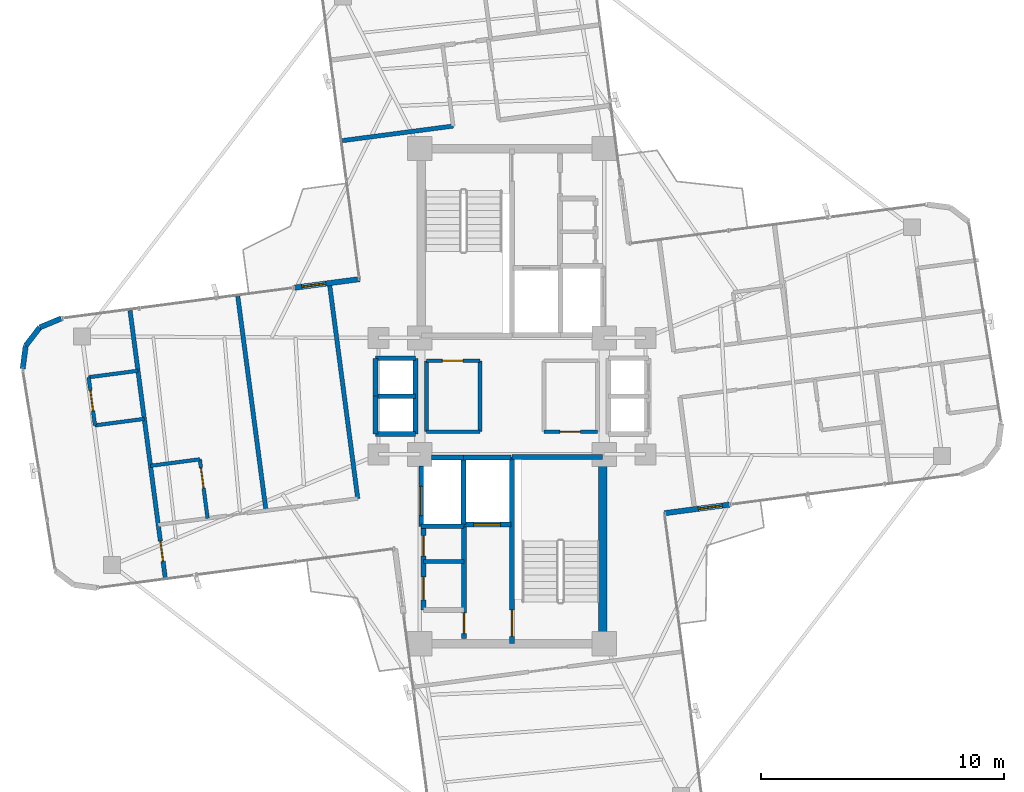
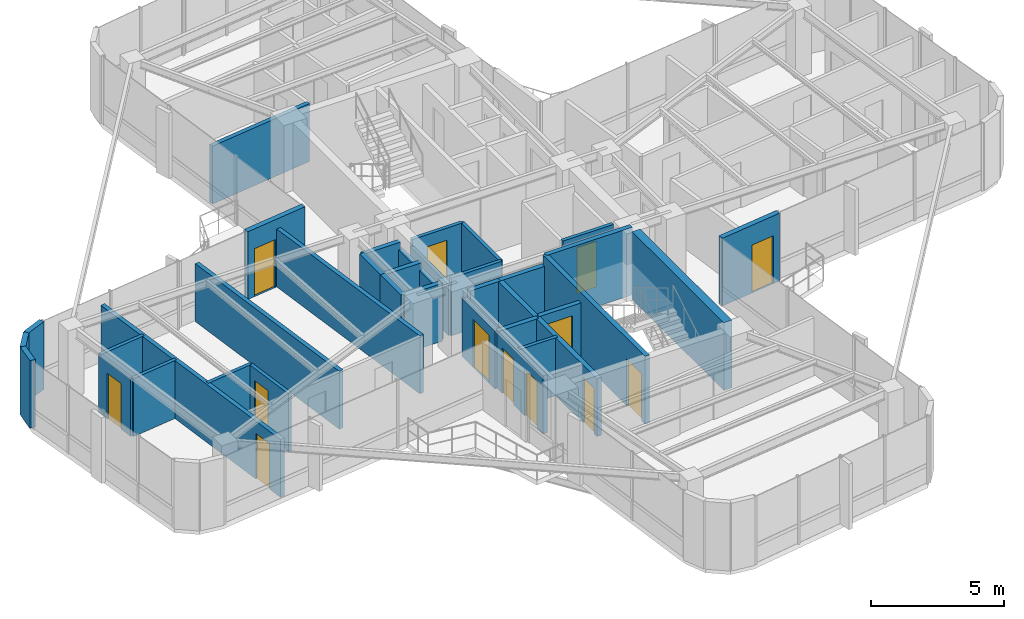
# One storey, part 19 of 22: 37 walls, 13 doors, 13 openings.
"""IFC4 building model written with IfcOpenShell, lengths in metres."""

from ifc_helpers import new_model, si_unit, direction, frame, frame_2d, origin, origin_2d, place, context, subcontext, project, spatial, rectangle, extrude, source, transform, mapped, material, layer, layer_set, type_object, element, fill, save


model = new_model("IFC4")

# Units and contexts
model_context = context("Model", 3, precision=1e-05, world=origin(), true_north=direction((0.0, 1.0)))
body_context = subcontext(model_context, "Body", "Model", "MODEL_VIEW")
ifc_project = project(units=[si_unit("LENGTHUNIT", "METRE"), si_unit("AREAUNIT", "SQUARE_METRE"), si_unit("VOLUMEUNIT", "CUBIC_METRE"), si_unit("PLANEANGLEUNIT", "RADIAN"), si_unit("MASSUNIT", "GRAM", prefix="KILO")], contexts=[model_context])

# Site, building, storey
site_placement = place(None, origin())
site = spatial("IfcSite", under=ifc_project, at=site_placement, CompositionType="ELEMENT")
building_placement = place(site_placement, origin())
building = spatial("IfcBuilding", under=site, at=building_placement, Name="Sahyath Konkavel Grand Hotel", CompositionType="ELEMENT")
storey_placement = place(building_placement, frame((0.0, 0.0, 272.449951171875)))
storey = spatial("IfcBuildingStorey", under=building, at=storey_placement, Name="L76", CompositionType="ELEMENT", Elevation=272.449951171875)

# Wall
ifc_material_1 = material(Name="Concrete C40/50", Category="concrete")
ifc_layer_1 = layer(ifc_material_1, 0.35009765625)
ifc_layer_set_1 = layer_set([ifc_layer_1], Name="Concrete C40/50")
wall_type_1 = type_object("IfcWallType", Name="CWALL-350", PredefinedType="SHEAR", material=ifc_layer_set_1)
wall_1_placement = place(storey_placement, frame((3.739990234375, -9.75, 0.0), z_axis=(0.0, 0.0, 1.0), x_axis=(0.0, 1.0, 0.0)))
element("IfcWall", 1, at=wall_1_placement, inside=storey, type_object=wall_type_1, Name="L76 South Core Shear Wall E", PredefinedType="SHEAR", context=body_context, shape_type="SweptSolid", body=[
    extrude(rectangle(XDim=6.89990234375, YDim=0.35009765625, at=frame_2d((3.449951171875, 0.0))), origin(), (0.0, 0.0, 1.0), 3.110107421875),
])

# Wall, opening, door
ifc_material_2 = material(Name="Warm Buff Sandstone Insulated Concrete C40/50", Category="masonry")
ifc_layer_2 = layer(ifc_material_2, 0.219970703125)
ifc_layer_set_2 = layer_set([ifc_layer_2], Name="Warm Buff Sandstone Insulated Concrete C40/50")
wall_type_2 = type_object("IfcWallType", Name="WLL-BALC-THRESH", PredefinedType="STANDARD", material=ifc_layer_set_2)
wall_2_placement = place(storey_placement, frame((6.282958984375, -4.821044921875, 0.0), z_axis=(0.0, 0.0, 1.0), x_axis=(0.991451525486, 0.130475563272, 0.0)))
wall_2 = element("IfcWall", 2, at=wall_2_placement, inside=storey, type_object=wall_type_2, Name="L76 Winter-Garden Threshold Wall 0", PredefinedType="STANDARD", context=body_context, shape_type="SweptSolid", body=[
    extrude(rectangle(XDim=2.7001953125, YDim=0.219970703125, at=frame_2d((1.35009765625, 0.0))), origin(), (0.0, 0.0, 1.0), 3.110107421875),
])
opening_1_placement = place(wall_2_placement, frame((1.39990234375, 0.0, 0.0)))
opening_1 = element("IfcOpeningElement", 3, at=opening_1_placement, cuts=wall_2, Name="Opening D-TR1", PredefinedType="OPENING", context=body_context, shape_type="SweptSolid", body=[
    extrude(rectangle(XDim=1.0, YDim=2.199951171875, at=frame_2d((0.5, 1.10009765625))), frame((0.0, 0.1201171875, 0.0), z_axis=(0.0, -1.0, 0.0), x_axis=(1.0, 0.0, 0.0)), (0.0, 0.0, 1.0), 0.239990234375),
])
ifc_material_3 = material(Name="Anodised Bronze Aluminium & Low-E Glazing", Category="aluminium")
door_type_1 = type_object("IfcDoorType", Name="DR-TERRACE-1000", OperationType="NOTDEFINED", PredefinedType="DOOR", material=ifc_material_3)
shared_shape_1 = source(origin(), body_context, "Body", "SweptSolid", [
    extrude(rectangle(XDim=1.0, YDim=0.050048828125, at=origin_2d()), origin(), (0.0, 0.0, 1.0), 2.199951171875),
])
door_1_placement = place(opening_1_placement, frame((0.5, 0.0, 0.0)))
door_1 = element("IfcDoor", 4, at=door_1_placement, inside=storey, type_object=door_type_1, Name="L76 Winter-Garden Terrace Door 0", OperationType="SINGLE_SWING_LEFT", OverallHeight=2.199951171875, OverallWidth=1.0, PredefinedType="DOOR", context=body_context, shape_type="MappedRepresentation", body=[
    mapped(shared_shape_1, transform((0.0, 0.0, 0.0), scale=1.0)),
])
fill(opening_1, door_1)

wall_3_placement = place(storey_placement, frame((-6.282958984375, 4.821044921875, 0.0), z_axis=(0.0, 0.0, 1.0), x_axis=(-0.991451525486, -0.130475563272, 0.0)))
wall_3 = element("IfcWall", 5, at=wall_3_placement, inside=storey, type_object=wall_type_2, Name="L76 Winter-Garden Threshold Wall 16", PredefinedType="STANDARD", context=body_context, shape_type="SweptSolid", body=[
    extrude(rectangle(XDim=2.7001953125, YDim=0.219970703125, at=frame_2d((1.35009765625, 0.0))), origin(), (0.0, 0.0, 1.0), 3.110107421875),
])
opening_2_placement = place(wall_3_placement, frame((1.39990234375, 0.0, 0.0)))
opening_2 = element("IfcOpeningElement", 6, at=opening_2_placement, cuts=wall_3, Name="Opening D-TR1", PredefinedType="OPENING", context=body_context, shape_type="SweptSolid", body=[
    extrude(rectangle(XDim=1.0, YDim=2.199951171875, at=frame_2d((0.5, 1.10009765625))), frame((0.0, 0.1201171875, 0.0), z_axis=(0.0, -1.0, 0.0), x_axis=(1.0, 0.0, 0.0)), (0.0, 0.0, 1.0), 0.239990234375),
])
door_2_placement = place(opening_2_placement, frame((0.5, 0.0, 0.0)))
door_2 = element("IfcDoor", 7, at=door_2_placement, inside=storey, type_object=door_type_1, Name="L76 Winter-Garden Terrace Door 16", OperationType="SINGLE_SWING_LEFT", OverallHeight=2.199951171875, OverallWidth=1.0, PredefinedType="DOOR", context=body_context, shape_type="MappedRepresentation", body=[
    mapped(shared_shape_1, transform((0.0, 0.0, 0.0), scale=1.0)),
])
fill(opening_2, door_2)

# Walls
wall_4_placement = place(storey_placement, frame((-18.56689453125, 3.203857421875, 0.0), z_axis=(0.0, 0.0, 1.0), x_axis=(-0.923926759112, -0.382569397359, 0.0)))
element("IfcWall", 8, at=wall_4_placement, inside=storey, type_object=wall_type_2, Name="L76 Rounded Corner Sandstone Pier 17", PredefinedType="STANDARD", context=body_context, shape_type="SweptSolid", body=[
    extrude(rectangle(XDim=0.957763671875, YDim=0.219970703125, at=frame_2d((0.47900390625, 0.0))), origin(), (0.0, 0.0, 1.0), 3.110107421875),
])
for number, where, z_axis, x_axis, name in (
    (9, (-19.451904296875, 2.83740234375, 0.0), (0.0, 0.0, 1.0), (-0.60861352168, -0.793466811674, 0.0), "L76 Rounded Corner Sandstone Pier 18"),
    (10, (-20.03466796875, 2.07763671875, 0.0), (0.0, 0.0, 1.0), (-0.13056005306, -0.991440402921, 0.0), "L76 Rounded Corner Sandstone Pier 19"),
):
    element("IfcWall", number, at=place(storey_placement, frame(where, z_axis=z_axis, x_axis=x_axis)), inside=storey, type_object=wall_type_2, Name=name, PredefinedType="STANDARD", context=body_context, shape_type="SweptSolid", body=[
        extrude(rectangle(XDim=0.95751953125, YDim=0.219970703125, at=frame_2d((0.478759765625, 0.0))), origin(), (0.0, 0.0, 1.0), 3.110107421875),
    ])

# Wall, opening, door
ifc_layer_3 = layer(ifc_material_1, 0.199951171875)
ifc_layer_set_3 = layer_set([ifc_layer_3], Name="Concrete C40/50")
wall_type_3 = type_object("IfcWallType", Name="WLL-CORE-200", PredefinedType="SOLIDWALL", material=ifc_layer_set_3)
wall_5_placement = place(storey_placement, frame((0.0, -10.179931640625, 0.0), z_axis=(0.0, 0.0, 1.0), x_axis=(0.0, 1.0, 0.0)))
wall_5 = element("IfcWall", 11, at=wall_5_placement, inside=storey, type_object=wall_type_3, Name="L76 Stair ST-2 Shaft Wall W", PredefinedType="SOLIDWALL", context=body_context, shape_type="SweptSolid", body=[
    extrude(rectangle(XDim=7.679931640625, YDim=0.199951171875, at=frame_2d((3.83984375, 0.0))), origin(), (0.0, 0.0, 1.0), 3.110107421875),
])
opening_3_placement = place(wall_5_placement, frame((0.280029296875, 0.0, 0.0)))
opening_3 = element("IfcOpeningElement", 12, at=opening_3_placement, cuts=wall_5, Name="Opening D-F12B", PredefinedType="OPENING", context=body_context, shape_type="SweptSolid", body=[
    extrude(rectangle(XDim=1.10009765625, YDim=2.14990234375, at=frame_2d((0.550048828125, 1.074951171875))), frame((0.0, 0.10986328125, 0.0), z_axis=(0.0, -1.0, 0.0), x_axis=(1.0, 0.0, 0.0)), (0.0, 0.0, 1.0), 0.219970703125),
])
ifc_material_4 = material(Name="Steel E350 Smokeproof Fire Door", Category="steel")
door_type_2 = type_object("IfcDoorType", Name="DR-FD120-1100", OperationType="NOTDEFINED", PredefinedType="DOOR", material=ifc_material_4)
shared_shape_2 = source(origin(), body_context, "Body", "SweptSolid", [
    extrude(rectangle(XDim=1.10009765625, YDim=0.050048828125, at=origin_2d()), origin(), (0.0, 0.0, 1.0), 2.14990234375),
])
door_3_placement = place(opening_3_placement, frame((0.550048828125, 0.0, 0.0)))
door_3 = element("IfcDoor", 13, at=door_3_placement, inside=storey, type_object=door_type_2, Name="L76 Stair ST-2 Fire Door", OperationType="SINGLE_SWING_LEFT", OverallHeight=2.14990234375, OverallWidth=1.10009765625, PredefinedType="DOOR", context=body_context, shape_type="MappedRepresentation", body=[
    mapped(shared_shape_2, transform((0.0, 0.0, 0.0), scale=1.0)),
])
fill(opening_3, door_3)

# Wall
wall_6_placement = place(storey_placement, frame((0.0, -2.5, 0.0), z_axis=(0.0, 0.0, 1.0), x_axis=(1.0, 0.0, 0.0)))
element("IfcWall", 14, at=wall_6_placement, inside=storey, type_object=wall_type_3, Name="L76 Stair ST-2 Shaft Wall N", PredefinedType="SOLIDWALL", context=body_context, shape_type="SweptSolid", body=[
    extrude(rectangle(XDim=3.719970703125, YDim=0.199951171875, at=frame_2d((1.85986328125, 0.0))), origin(), (0.0, 0.0, 1.0), 3.110107421875),
])

# Wall, opening, door
wall_7_placement = place(storey_placement, frame((-1.97998046875, -9.97998046875, 0.0), z_axis=(0.0, 0.0, 1.0), x_axis=(0.0, 1.0, 0.0)))
wall_7 = element("IfcWall", 15, at=wall_7_placement, inside=storey, type_object=wall_type_3, Name="L76 South Firefighting Lobby Wall W", PredefinedType="SOLIDWALL", context=body_context, shape_type="SweptSolid", body=[
    extrude(rectangle(XDim=4.659912109375, YDim=0.199951171875, at=frame_2d((2.330078125, 0.0))), origin(), (0.0, 0.0, 1.0), 2.66015625),
])
opening_4_placement = place(wall_7_placement, frame((0.199951171875, 0.0, 0.0)))
opening_4 = element("IfcOpeningElement", 16, at=opening_4_placement, cuts=wall_7, Name="Opening D-F12D", PredefinedType="OPENING", context=body_context, shape_type="SweptSolid", body=[
    extrude(rectangle(XDim=0.85009765625, YDim=2.10009765625, at=frame_2d((0.425048828125, 1.050048828125))), frame((0.0, 0.10986328125, 0.0), z_axis=(0.0, -1.0, 0.0), x_axis=(1.0, 0.0, 0.0)), (0.0, 0.0, 1.0), 0.219970703125),
])
ifc_material_5 = material(Name="Steel E350 Core Fire Door", Category="steel")
door_type_3 = type_object("IfcDoorType", Name="DR-FD120-850", OperationType="NOTDEFINED", PredefinedType="DOOR", material=ifc_material_5)
shared_shape_3 = source(origin(), body_context, "Body", "SweptSolid", [
    extrude(rectangle(XDim=0.85009765625, YDim=0.050048828125, at=origin_2d()), origin(), (0.0, 0.0, 1.0), 2.10009765625),
])
door_4_placement = place(opening_4_placement, frame((0.425048828125, 0.0, 0.0)))
door_4 = element("IfcDoor", 17, at=door_4_placement, inside=storey, type_object=door_type_3, Name="L76 South Firefighting Lobby Door", OperationType="SINGLE_SWING_LEFT", OverallHeight=2.10009765625, OverallWidth=0.85009765625, PredefinedType="DOOR", context=body_context, shape_type="MappedRepresentation", body=[
    mapped(shared_shape_3, transform((0.0, 0.0, 0.0), scale=1.0)),
])
fill(opening_4, door_4)

# Walls
wall_8_placement = place(storey_placement, frame((-2.0, -5.280029296875, 0.0), z_axis=(0.0, 0.0, 1.0), x_axis=(0.0, 1.0, 0.0)))
element("IfcWall", 18, at=wall_8_placement, inside=storey, type_object=wall_type_3, Name="L76 Partition SH-FFL2-W", PredefinedType="SOLIDWALL", context=body_context, shape_type="SweptSolid", body=[
    extrude(rectangle(XDim=2.780029296875, YDim=0.199951171875, at=frame_2d((1.39013671875, 0.0))), origin(), (0.0, 0.0, 1.0), 2.66015625),
])
wall_9_placement = place(storey_placement, frame((-2.0, -2.52001953125, 0.0), z_axis=(0.0, 0.0, 1.0), x_axis=(1.0, 0.0, 0.0)))
element("IfcWall", 19, at=wall_9_placement, inside=storey, type_object=wall_type_3, Name="L76 Partition SH-FFL2-N", PredefinedType="SOLIDWALL", context=body_context, shape_type="SweptSolid", body=[
    extrude(rectangle(XDim=1.949951171875, YDim=0.199951171875, at=frame_2d((0.97509765625, 0.0))), origin(), (0.0, 0.0, 1.0), 2.66015625),
])

# Wall, opening, door
wall_10_placement = place(storey_placement, frame((-1.97998046875, -5.280029296875, 0.0), z_axis=(0.0, 0.0, 1.0), x_axis=(1.0, 0.0, 0.0)))
wall_10 = element("IfcWall", 20, at=wall_10_placement, inside=storey, type_object=wall_type_3, Name="L76 Partition SH-FFL2-S", PredefinedType="SOLIDWALL", context=body_context, shape_type="SweptSolid", body=[
    extrude(rectangle(XDim=1.929931640625, YDim=0.199951171875, at=frame_2d((0.96484375, 0.0))), origin(), (0.0, 0.0, 1.0), 2.66015625),
])
opening_5_placement = place(wall_10_placement, frame((0.39990234375, 0.0, 0.0)))
opening_5 = element("IfcOpeningElement", 21, at=opening_5_placement, cuts=wall_10, Name="Opening LD-11", PredefinedType="OPENING", context=body_context, shape_type="SweptSolid", body=[
    extrude(rectangle(XDim=1.10009765625, YDim=2.199951171875, at=frame_2d((0.550048828125, 1.10009765625))), frame((0.0, 0.10986328125, 0.0), z_axis=(0.0, -1.0, 0.0), x_axis=(1.0, 0.0, 0.0)), (0.0, 0.0, 1.0), 0.219970703125),
])
ifc_material_6 = material(Name="Bronze Lift Landing Door 1100")
door_type_4 = type_object("IfcDoorType", Name="DR-LIFT-1100", OperationType="DOUBLE_DOOR_SLIDING", PredefinedType="DOOR", material=ifc_material_6)
shared_shape_4 = source(origin(), body_context, "Body", "SweptSolid", [
    extrude(rectangle(XDim=1.10009765625, YDim=0.050048828125, at=origin_2d()), origin(), (0.0, 0.0, 1.0), 2.199951171875),
])
door_5_placement = place(opening_5_placement, frame((0.550048828125, 0.0, 0.0)))
door_5 = element("IfcDoor", 22, at=door_5_placement, inside=storey, type_object=door_type_4, Name="L76 Lift FFL-2 Landing Door", OperationType="DOUBLE_DOOR_SLIDING", OverallHeight=2.199951171875, OverallWidth=1.10009765625, PredefinedType="DOOR", context=body_context, shape_type="MappedRepresentation", body=[
    mapped(shared_shape_4, transform((0.0, 0.0, 0.0), scale=1.0)),
])
fill(opening_5, door_5)

# Walls
wall_11_placement = place(storey_placement, frame((-3.320068359375, -2.52001953125, 0.0), z_axis=(0.0, 0.0, 1.0), x_axis=(1.0, 0.0, 0.0)))
element("IfcWall", 23, at=wall_11_placement, inside=storey, type_object=wall_type_3, Name="L76 Partition SH-SVL2-N", PredefinedType="SOLIDWALL", context=body_context, shape_type="SweptSolid", body=[
    extrude(rectangle(XDim=1.320068359375, YDim=0.199951171875, at=frame_2d((0.66015625, 0.0))), origin(), (0.0, 0.0, 1.0), 2.66015625),
])
wall_12_placement = place(storey_placement, frame((-3.739990234375, -5.360107421875, 0.0), z_axis=(0.0, 0.0, 1.0), x_axis=(1.0, 0.0, 0.0)))
element("IfcWall", 24, at=wall_12_placement, inside=storey, type_object=wall_type_3, Name="L76 Partition SH-SVL2-S", PredefinedType="SOLIDWALL", context=body_context, shape_type="SweptSolid", body=[
    extrude(rectangle(XDim=1.739990234375, YDim=0.199951171875, at=frame_2d((0.8701171875, 0.0))), origin(), (0.0, 0.0, 1.0), 2.66015625),
])

# Wall, opening, door
wall_13_placement = place(storey_placement, frame((-3.739990234375, -5.360107421875, 0.0), z_axis=(0.0, 0.0, 1.0), x_axis=(0.0, 1.0, 0.0)))
wall_13 = element("IfcWall", 25, at=wall_13_placement, inside=storey, type_object=wall_type_3, Name="L76 Partition SH-SVL2-W", PredefinedType="SOLIDWALL", context=body_context, shape_type="SweptSolid", body=[
    extrude(rectangle(XDim=2.480224609375, YDim=0.199951171875, at=frame_2d((1.240234375, 0.0))), origin(), (0.0, 0.0, 1.0), 2.66015625),
])
opening_6_placement = place(wall_13_placement, frame((0.43994140625, 0.0, 0.0)))
opening_6 = element("IfcOpeningElement", 26, at=opening_6_placement, cuts=wall_13, Name="Opening LD-12", PredefinedType="OPENING", context=body_context, shape_type="SweptSolid", body=[
    extrude(rectangle(XDim=1.199951171875, YDim=2.199951171875, at=frame_2d((0.60009765625, 1.10009765625))), frame((0.0, 0.10986328125, 0.0), z_axis=(0.0, -1.0, 0.0), x_axis=(1.0, 0.0, 0.0)), (0.0, 0.0, 1.0), 0.219970703125),
])
ifc_material_7 = material(Name="Stainless Steel Lift Landing Door 1200", Category="steel")
door_type_5 = type_object("IfcDoorType", Name="DR-LIFT-1200", OperationType="DOUBLE_DOOR_SLIDING", PredefinedType="DOOR", material=ifc_material_7)
shared_shape_5 = source(origin(), body_context, "Body", "SweptSolid", [
    extrude(rectangle(XDim=1.199951171875, YDim=0.050048828125, at=origin_2d()), origin(), (0.0, 0.0, 1.0), 2.199951171875),
])
door_6_placement = place(opening_6_placement, frame((0.60009765625, 0.0, 0.0)))
door_6 = element("IfcDoor", 27, at=door_6_placement, inside=storey, type_object=door_type_5, Name="L76 Service Lift SVL-2 Landing Door", OperationType="DOUBLE_DOOR_SLIDING", OverallHeight=2.199951171875, OverallWidth=1.199951171875, PredefinedType="DOOR", context=body_context, shape_type="MappedRepresentation", body=[
    mapped(shared_shape_5, transform((0.0, 0.0, 0.0), scale=1.0)),
])
fill(opening_6, door_6)

# Walls
wall_14_placement = place(storey_placement, frame((-3.97998046875, -1.56005859375, 0.0), z_axis=(0.0, 0.0, 1.0), x_axis=(0.0, 1.0, 0.0)))
element("IfcWall", 28, at=wall_14_placement, inside=storey, type_object=wall_type_3, Name="L76 Partition SH-SL12-E", PredefinedType="SOLIDWALL", context=body_context, shape_type="SweptSolid", body=[
    extrude(rectangle(XDim=3.1201171875, YDim=0.199951171875, at=frame_2d((1.56005859375, 0.0))), origin(), (0.0, 0.0, 1.0), 2.330078125),
])
for number, where, z_axis, x_axis, name in (
    (29, (-5.6201171875, 1.56005859375, 0.0), (0.0, 0.0, 1.0), (1.0, 0.0, 0.0), "L76 Partition SH-SL12-N"),
    (30, (-5.6201171875, -1.56005859375, 0.0), (0.0, 0.0, 1.0), (1.0, 0.0, 0.0), "L76 Partition SH-SL12-S"),
    (31, (-5.6201171875, 0.0, 0.0), (0.0, 0.0, 1.0), (1.0, 0.0, 0.0), "L76 Partition SH-SL12-M"),
):
    element("IfcWall", number, at=place(storey_placement, frame(where, z_axis=z_axis, x_axis=x_axis)), inside=storey, type_object=wall_type_3, Name=name, PredefinedType="SOLIDWALL", context=body_context, shape_type="SweptSolid", body=[
        extrude(rectangle(XDim=1.64013671875, YDim=0.199951171875, at=frame_2d((0.820068359375, 0.0))), origin(), (0.0, 0.0, 1.0), 2.66015625),
    ])
for number, where, z_axis, x_axis, name in (
    (32, (-5.6201171875, 0.0, 0.0), (0.0, 0.0, 1.0), (0.0, 1.0, 0.0), "L76 Partition SH-SL1-W"),
    (33, (-5.6201171875, -1.56005859375, 0.0), (0.0, 0.0, 1.0), (0.0, 1.0, 0.0), "L76 Partition SH-SL2-W"),
):
    element("IfcWall", number, at=place(storey_placement, frame(where, z_axis=z_axis, x_axis=x_axis)), inside=storey, type_object=wall_type_3, Name=name, PredefinedType="SOLIDWALL", context=body_context, shape_type="SweptSolid", body=[
        extrude(rectangle(XDim=1.56005859375, YDim=0.199951171875, at=frame_2d((0.780029296875, 0.0))), origin(), (0.0, 0.0, 1.0), 2.66015625),
    ])

# Wall, openings, doors
wall_15_placement = place(storey_placement, frame((-3.64990234375, -8.81005859375, 0.0), z_axis=(0.0, 0.0, 1.0), x_axis=(0.0, 1.0, 0.0)))
wall_15 = element("IfcWall", 34, at=wall_15_placement, inside=storey, type_object=wall_type_3, Name="L76 Reclaimed South Core Wall W", PredefinedType="SOLIDWALL", context=body_context, shape_type="SweptSolid", body=[
    extrude(rectangle(XDim=3.43017578125, YDim=0.199951171875, at=frame_2d((1.715087890625, 0.0))), origin(), (0.0, 0.0, 1.0), 2.66015625),
])
opening_7_placement = place(wall_15_placement, frame((0.419921875, 0.0, 0.0)))
opening_7 = element("IfcOpeningElement", 35, at=opening_7_placement, cuts=wall_15, Name="Opening D-AC95", PredefinedType="OPENING", context=body_context, shape_type="SweptSolid", body=[
    extrude(rectangle(XDim=0.949951171875, YDim=2.14990234375, at=frame_2d((0.47509765625, 1.074951171875))), frame((0.0, 0.10986328125, 0.0), z_axis=(0.0, -1.0, 0.0), x_axis=(1.0, 0.0, 0.0)), (0.0, 0.0, 1.0), 0.219970703125),
])
opening_8_placement = place(wall_15_placement, frame((2.219970703125, 0.0, 0.0)))
opening_8 = element("IfcOpeningElement", 36, at=opening_8_placement, cuts=wall_15, Name="Opening D-F06D", PredefinedType="OPENING", context=body_context, shape_type="SweptSolid", body=[
    extrude(rectangle(XDim=0.85009765625, YDim=2.10009765625, at=frame_2d((0.425048828125, 1.050048828125))), frame((0.0, 0.10986328125, 0.0), z_axis=(0.0, -1.0, 0.0), x_axis=(1.0, 0.0, 0.0)), (0.0, 0.0, 1.0), 0.219970703125),
])
ifc_material_8 = material(Name="Accessible Washroom Timber Door", Category="wood")
door_type_6 = type_object("IfcDoorType", Name="DR-ACC-950", OperationType="NOTDEFINED", PredefinedType="DOOR", material=ifc_material_8)
shared_shape_6 = source(origin(), body_context, "Body", "SweptSolid", [
    extrude(rectangle(XDim=0.949951171875, YDim=0.050048828125, at=origin_2d()), origin(), (0.0, 0.0, 1.0), 2.14990234375),
])
door_7_placement = place(opening_7_placement, frame((0.47509765625, 0.0, 0.0)))
door_7 = element("IfcDoor", 37, at=door_7_placement, inside=storey, type_object=door_type_6, Name="L76 Door SC-REC1-D", OperationType="SINGLE_SWING_RIGHT", OverallHeight=2.14990234375, OverallWidth=0.949951171875, PredefinedType="DOOR", context=body_context, shape_type="MappedRepresentation", body=[
    mapped(shared_shape_6, transform((0.0, 0.0, 0.0), scale=1.0)),
])
fill(opening_7, door_7)
ifc_material_9 = material(Name="Fire-Rated Shaft Access Door")
door_type_7 = type_object("IfcDoorType", Name="DR-FD60-850", OperationType="NOTDEFINED", PredefinedType="DOOR", material=ifc_material_9)
door_8_placement = place(opening_8_placement, frame((0.425048828125, 0.0, 0.0)))
door_8 = element("IfcDoor", 38, at=door_8_placement, inside=storey, type_object=door_type_7, Name="L76 Door SC-REC2-D", OperationType="SINGLE_SWING_LEFT", OverallHeight=2.10009765625, OverallWidth=0.85009765625, PredefinedType="DOOR", context=body_context, shape_type="MappedRepresentation", body=[
    mapped(shared_shape_3, transform((0.0, 0.0, 0.0), scale=1.0)),
])
fill(opening_8, door_8)

# Walls
ifc_material_10 = material(Name="Twin-Stud Acoustic Gypsum Plasterboard Partition")
ifc_layer_4 = layer(ifc_material_10, 0.179931640625)
ifc_layer_set_4 = layer_set([ifc_layer_4], Name="Twin-Stud Acoustic Gypsum Plasterboard Partition")
wall_type_4 = type_object("IfcWallType", Name="WLL-DEMISE-180", PredefinedType="PARTITIONING", material=ifc_layer_set_4)
wall_16_placement = place(storey_placement, frame((-2.42333984375, 11.12890625, 0.0), z_axis=(0.0, 0.0, 1.0), x_axis=(-0.991446706518, -0.130512176195, 0.0)))
element("IfcWall", 39, at=wall_16_placement, inside=storey, type_object=wall_type_4, Name="L76 Partition N-INL", PredefinedType="PARTITIONING", context=body_context, shape_type="SweptSolid", body=[
    extrude(rectangle(XDim=4.599853515625, YDim=0.179931640625, at=frame_2d((2.2998046875, 0.0))), origin(), (0.0, 0.0, 1.0), 2.66015625),
])
for number, where, z_axis, x_axis, name in (
    (40, (-7.515869140625, 4.6083984375, 0.0), (0.0, 0.0, 1.0), (0.130548179903, -0.991441966392, 0.0), "L76 Partition W-G5I"),
    (41, (-10.134521484375, -4.713134765625, 0.0), (0.0, 0.0, 1.0), (-0.130521215423, 0.991445516569, 0.0), "L76 Partition W-WD1-DEM"),
):
    element("IfcWall", number, at=place(storey_placement, frame(where, z_axis=z_axis, x_axis=x_axis)), inside=storey, type_object=wall_type_4, Name=name, PredefinedType="PARTITIONING", context=body_context, shape_type="SweptSolid", body=[
        extrude(rectangle(XDim=8.89990234375, YDim=0.179931640625, at=frame_2d((4.449951171875, 0.0))), origin(), (0.0, 0.0, 1.0), 2.66015625),
    ])

# Wall, opening, door
wall_17_placement = place(storey_placement, frame((-15.73486328125, 3.5263671875, 0.0), z_axis=(0.0, 0.0, 1.0), x_axis=(0.130515390239, -0.991446283422, 0.0)))
wall_17 = element("IfcWall", 42, at=wall_17_placement, inside=storey, type_object=wall_type_4, Name="L76 Partition W-WTIP-END", PredefinedType="PARTITIONING", context=body_context, shape_type="SweptSolid", body=[
    extrude(rectangle(XDim=11.10009765625, YDim=0.179931640625, at=frame_2d((5.550048828125, 0.0))), origin(), (0.0, 0.0, 1.0), 2.66015625),
])
opening_9_placement = place(wall_17_placement, frame((9.574951171875, 0.0, 0.0)))
opening_9 = element("IfcOpeningElement", 43, at=opening_9_placement, cuts=wall_17, Name="Opening D-F06D", PredefinedType="OPENING", context=body_context, shape_type="SweptSolid", body=[
    extrude(rectangle(XDim=0.85009765625, YDim=2.10009765625, at=frame_2d((0.425048828125, 1.050048828125))), frame((0.0, 0.10009765625, 0.0), z_axis=(0.0, -1.0, 0.0), x_axis=(1.0, 0.0, 0.0)), (0.0, 0.0, 1.0), 0.199951171875),
])
door_9_placement = place(opening_9_placement, frame((0.425048828125, 0.0, 0.0)))
door_9 = element("IfcDoor", 44, at=door_9_placement, inside=storey, type_object=door_type_7, Name="L76 Door W-WTIP-ED", OperationType="SINGLE_SWING_RIGHT", OverallHeight=2.10009765625, OverallWidth=0.85009765625, PredefinedType="DOOR", context=body_context, shape_type="MappedRepresentation", body=[
    mapped(shared_shape_3, transform((0.0, 0.0, 0.0), scale=1.0)),
])
fill(opening_9, door_9)

# Walls
ifc_material_11 = material(Name="Fire-Rated Gypsum Plasterboard Partition")
ifc_layer_5 = layer(ifc_material_11, 0.14990234375)
ifc_layer_set_5 = layer_set([ifc_layer_5], Name="Fire-Rated Gypsum Plasterboard Partition")
wall_type_5 = type_object("IfcWallType", Name="WLL-PART-150", PredefinedType="PARTITIONING", material=ifc_layer_set_5)
wall_18_placement = place(storey_placement, frame((-3.64990234375, -6.81005859375, 0.0), z_axis=(0.0, 0.0, 1.0), x_axis=(1.0, 0.0, 0.0)))
element("IfcWall", 45, at=wall_18_placement, inside=storey, type_object=wall_type_5, Name="L76 Partition SC-REC-M1", PredefinedType="PARTITIONING", context=body_context, shape_type="SweptSolid", body=[
    extrude(rectangle(XDim=1.669921875, YDim=0.14990234375, at=frame_2d((0.8349609375, 0.0))), origin(), (0.0, 0.0, 1.0), 2.66015625),
])
wall_19_placement = place(storey_placement, frame((-1.320068359375, -1.4599609375, 0.0), z_axis=(0.0, 0.0, 1.0), x_axis=(0.0, 1.0, 0.0)))
element("IfcWall", 46, at=wall_19_placement, inside=storey, type_object=wall_type_5, Name="L76 Partition CC-1WI", PredefinedType="PARTITIONING", context=body_context, shape_type="SweptSolid", body=[
    extrude(rectangle(XDim=2.919921875, YDim=0.14990234375, at=frame_2d((1.4599609375, 0.0))), origin(), (0.0, 0.0, 1.0), 2.66015625),
])
wall_20_placement = place(storey_placement, frame((-3.52001953125, -1.4599609375, 0.0), z_axis=(0.0, 0.0, 1.0), x_axis=(0.0, 1.0, 0.0)))
element("IfcWall", 47, at=wall_20_placement, inside=storey, type_object=wall_type_5, Name="L76 Partition CC-1WO", PredefinedType="PARTITIONING", context=body_context, shape_type="SweptSolid", body=[
    extrude(rectangle(XDim=2.919921875, YDim=0.14990234375, at=frame_2d((1.4599609375, 0.0))), origin(), (0.0, 0.0, 1.0), 2.330078125),
])

# Wall, opening, door
wall_21_placement = place(storey_placement, frame((-3.52001953125, 1.4599609375, 0.0), z_axis=(0.0, 0.0, 1.0), x_axis=(1.0, 0.0, 0.0)))
wall_21 = element("IfcWall", 48, at=wall_21_placement, inside=storey, type_object=wall_type_5, Name="L76 Partition CC-1WN", PredefinedType="PARTITIONING", context=body_context, shape_type="SweptSolid", body=[
    extrude(rectangle(XDim=2.199951171875, YDim=0.14990234375, at=frame_2d((1.10009765625, 0.0))), origin(), (0.0, 0.0, 1.0), 2.66015625),
])
opening_10_placement = place(wall_21_placement, frame((0.64990234375, 0.0, 0.0)))
opening_10 = element("IfcOpeningElement", 49, at=opening_10_placement, cuts=wall_21, Name="Opening D-F06D", PredefinedType="OPENING", context=body_context, shape_type="SweptSolid", body=[
    extrude(rectangle(XDim=0.85009765625, YDim=2.10009765625, at=frame_2d((0.425048828125, 1.050048828125))), frame((0.0, 0.0849609375, 0.0), z_axis=(0.0, -1.0, 0.0), x_axis=(1.0, 0.0, 0.0)), (0.0, 0.0, 1.0), 0.169921875),
])
door_10_placement = place(opening_10_placement, frame((0.425048828125, 0.0, 0.0)))
door_10 = element("IfcDoor", 50, at=door_10_placement, inside=storey, type_object=door_type_7, Name="L76 Door CC-D1W", OperationType="SINGLE_SWING_RIGHT", OverallHeight=2.10009765625, OverallWidth=0.85009765625, PredefinedType="DOOR", context=body_context, shape_type="MappedRepresentation", body=[
    mapped(shared_shape_3, transform((0.0, 0.0, 0.0), scale=1.0)),
])
fill(opening_10, door_10)

# Wall
wall_22_placement = place(storey_placement, frame((-3.52001953125, -1.4599609375, 0.0), z_axis=(0.0, 0.0, 1.0), x_axis=(1.0, 0.0, 0.0)))
element("IfcWall", 51, at=wall_22_placement, inside=storey, type_object=wall_type_5, Name="L76 Partition CC-1WS", PredefinedType="PARTITIONING", context=body_context, shape_type="SweptSolid", body=[
    extrude(rectangle(XDim=2.199951171875, YDim=0.14990234375, at=frame_2d((1.10009765625, 0.0))), origin(), (0.0, 0.0, 1.0), 2.66015625),
])

# Wall, opening, door
wall_23_placement = place(storey_placement, frame((1.320068359375, -1.4599609375, 0.0), z_axis=(0.0, 0.0, 1.0), x_axis=(1.0, 0.0, 0.0)))
wall_23 = element("IfcWall", 52, at=wall_23_placement, inside=storey, type_object=wall_type_5, Name="L76 Partition CC-1ES", PredefinedType="PARTITIONING", context=body_context, shape_type="SweptSolid", body=[
    extrude(rectangle(XDim=2.199951171875, YDim=0.14990234375, at=frame_2d((1.10009765625, 0.0))), origin(), (0.0, 0.0, 1.0), 2.66015625),
])
opening_11_placement = place(wall_23_placement, frame((0.64990234375, 0.0, 0.0)))
opening_11 = element("IfcOpeningElement", 53, at=opening_11_placement, cuts=wall_23, Name="Opening D-F06D", PredefinedType="OPENING", context=body_context, shape_type="SweptSolid", body=[
    extrude(rectangle(XDim=0.85009765625, YDim=2.10009765625, at=frame_2d((0.425048828125, 1.050048828125))), frame((0.0, 0.0849609375, 0.0), z_axis=(0.0, -1.0, 0.0), x_axis=(1.0, 0.0, 0.0)), (0.0, 0.0, 1.0), 0.169921875),
])
door_11_placement = place(opening_11_placement, frame((0.425048828125, 0.0, 0.0)))
door_11 = element("IfcDoor", 54, at=door_11_placement, inside=storey, type_object=door_type_7, Name="L76 Door CC-D1E", OperationType="SINGLE_SWING_LEFT", OverallHeight=2.10009765625, OverallWidth=0.85009765625, PredefinedType="DOOR", context=body_context, shape_type="MappedRepresentation", body=[
    mapped(shared_shape_3, transform((0.0, 0.0, 0.0), scale=1.0)),
])
fill(opening_11, door_11)

wall_24_placement = place(storey_placement, frame((-12.540771484375, -5.02978515625, 0.0), z_axis=(0.0, 0.0, 1.0), x_axis=(-0.130544735166, 0.991442419972, 0.0)))
wall_24 = element("IfcWall", 55, at=wall_24_placement, inside=storey, type_object=wall_type_5, Name="L76 Partition W-WD2-BS", PredefinedType="PARTITIONING", context=body_context, shape_type="SweptSolid", body=[
    extrude(rectangle(XDim=2.449951171875, YDim=0.14990234375, at=frame_2d((1.22509765625, 0.0))), origin(), (0.0, 0.0, 1.0), 2.66015625),
])
opening_12_placement = place(wall_24_placement, frame((1.25, 0.0, 0.0)))
opening_12 = element("IfcOpeningElement", 56, at=opening_12_placement, cuts=wall_24, Name="Opening D-BT85", PredefinedType="OPENING", context=body_context, shape_type="SweptSolid", body=[
    extrude(rectangle(XDim=0.85009765625, YDim=2.10009765625, at=frame_2d((0.425048828125, 1.050048828125))), frame((0.0, 0.0849609375, 0.0), z_axis=(0.0, -1.0, 0.0), x_axis=(1.0, 0.0, 0.0)), (0.0, 0.0, 1.0), 0.169921875),
])
ifc_material_12 = material(Name="Moisture-Resistant Teak Bathroom Door")
door_type_8 = type_object("IfcDoorType", Name="DR-BATH-850", OperationType="NOTDEFINED", PredefinedType="DOOR", material=ifc_material_12)
door_12_placement = place(opening_12_placement, frame((0.425048828125, 0.0, 0.0)))
door_12 = element("IfcDoor", 57, at=door_12_placement, inside=storey, type_object=door_type_8, Name="L76 Door W-WD2-BD", OperationType="SINGLE_SWING_LEFT", OverallHeight=2.10009765625, OverallWidth=0.85009765625, PredefinedType="DOOR", context=body_context, shape_type="MappedRepresentation", body=[
    mapped(shared_shape_3, transform((0.0, 0.0, 0.0), scale=1.0)),
])
fill(opening_12, door_12)

# Walls
for number, where, z_axis, x_axis, name in (
    (58, (-12.860595703125, -2.600830078125, 0.0), (0.0, 0.0, 1.0), (-0.991444969909, -0.13052536781, 0.0), "L76 Partition W-WD2-BF"),
    (59, (-15.1474609375, -0.93505859375, 0.0), (0.0, 0.0, 1.0), (-0.991444969909, -0.13052536781, 0.0), "L76 Partition W-WTIP-BN"),
):
    element("IfcWall", number, at=place(storey_placement, frame(where, z_axis=z_axis, x_axis=x_axis)), inside=storey, type_object=wall_type_5, Name=name, PredefinedType="PARTITIONING", context=body_context, shape_type="SweptSolid", body=[
        extrude(rectangle(XDim=2.050048828125, YDim=0.14990234375, at=frame_2d((1.02490234375, 0.0))), origin(), (0.0, 0.0, 1.0), 2.66015625),
    ])
wall_25_placement = place(storey_placement, frame((-15.40869140625, 1.047607421875, 0.0), z_axis=(0.0, 0.0, 1.0), x_axis=(-0.991458349128, -0.130423701621, 0.0)))
element("IfcWall", 60, at=wall_25_placement, inside=storey, type_object=wall_type_5, Name="L76 Partition W-WTIP-BS", PredefinedType="PARTITIONING", context=body_context, shape_type="SweptSolid", body=[
    extrude(rectangle(XDim=2.0498046875, YDim=0.14990234375, at=frame_2d((1.02490234375, 0.0))), origin(), (0.0, 0.0, 1.0), 2.66015625),
])

# Wall, opening, door
wall_26_placement = place(storey_placement, frame((-17.44091796875, 0.7802734375, 0.0), z_axis=(0.0, 0.0, 1.0), x_axis=(0.130492404742, -0.991449308994, 0.0)))
wall_26 = element("IfcWall", 61, at=wall_26_placement, inside=storey, type_object=wall_type_5, Name="L76 Partition W-WTIP-BE", PredefinedType="PARTITIONING", context=body_context, shape_type="SweptSolid", body=[
    extrude(rectangle(XDim=2.0, YDim=0.14990234375, at=frame_2d((1.0, 0.0))), origin(), (0.0, 0.0, 1.0), 2.630126953125),
])
opening_13_placement = place(wall_26_placement, frame((0.550048828125, 0.0, 0.0)))
opening_13 = element("IfcOpeningElement", 62, at=opening_13_placement, cuts=wall_26, Name="Opening D-BT85", PredefinedType="OPENING", context=body_context, shape_type="SweptSolid", body=[
    extrude(rectangle(XDim=0.85009765625, YDim=2.10009765625, at=frame_2d((0.425048828125, 1.050048828125))), frame((0.0, 0.0849609375, 0.0), z_axis=(0.0, -1.0, 0.0), x_axis=(1.0, 0.0, 0.0)), (0.0, 0.0, 1.0), 0.169921875),
])
door_13_placement = place(opening_13_placement, frame((0.425048828125, 0.0, 0.0)))
door_13 = element("IfcDoor", 63, at=door_13_placement, inside=storey, type_object=door_type_8, Name="L76 Door W-WTIP-BD", OperationType="SINGLE_SWING_LEFT", OverallHeight=2.10009765625, OverallWidth=0.85009765625, PredefinedType="DOOR", context=body_context, shape_type="MappedRepresentation", body=[
    mapped(shared_shape_3, transform((0.0, 0.0, 0.0), scale=1.0)),
])
fill(opening_13, door_13)

save(model, "model.ifc")
